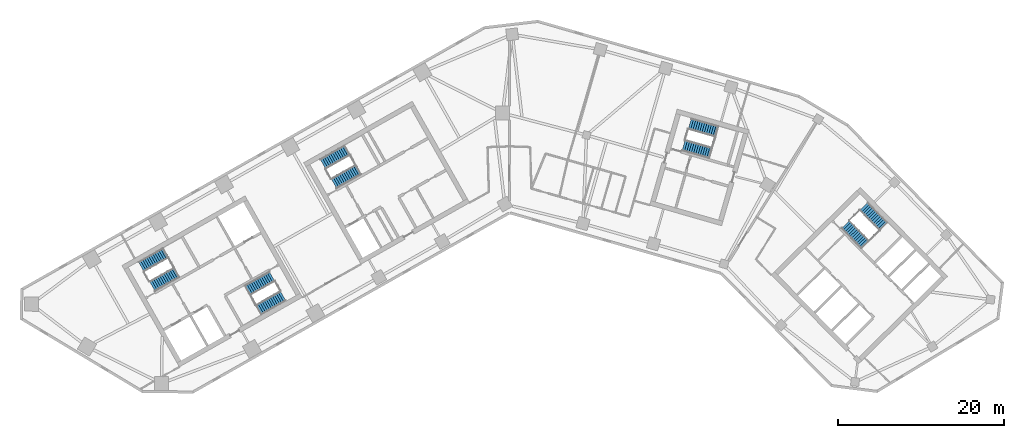
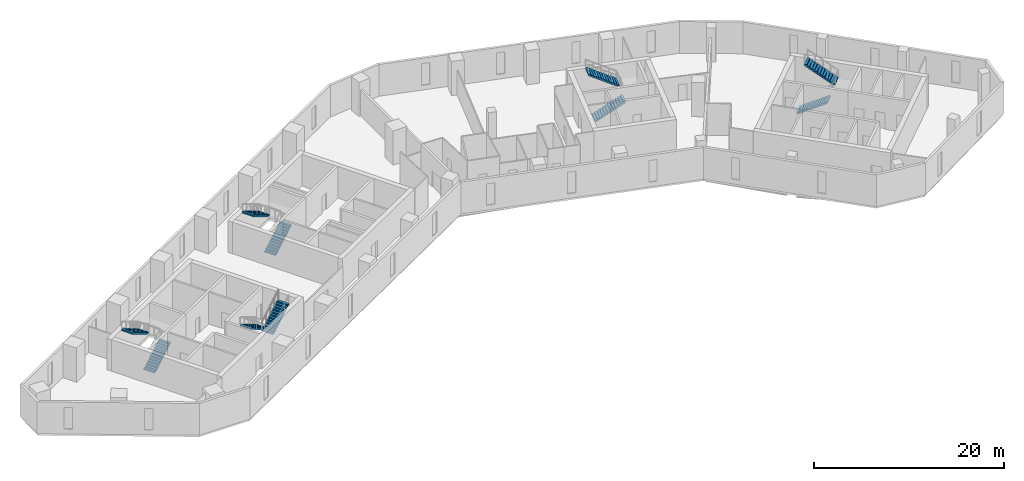
# One storey, part 8 of 10: 10 stair flights, 5 elements without a shape of their own.
"""IFC4 building model written with IfcOpenShell, lengths in metres."""

import ifcopenshell
import ifcopenshell.guid

model = None  # the IFC model being written
_history = None  # IfcOwnerHistory: only IFC2X3 demands one
_inside = {}  # id of a spatial element -> (the spatial element, [elements in it])
_under = {}  # id of a project, library or spatial element -> (it, [spatial elements below it])
_declared = {}  # id of a project -> (the project, [libraries it declares])
_typed = {}  # id of a type object -> (the type object, [elements of that type])
_made_of = {}  # id of a material, layer set ... -> (it, [elements and type objects made of it])


def new_model(schema):
    """Start an empty IFC model of exactly this schema.

    Asked for "IFC4X3", IfcOpenShell would pick the latest addendum, in which some entities
    have other attributes; the version numbers below select the first issue.
    IFC2X3 requires an IfcOwnerHistory on every rooted entity: one is made here for all.
    """
    global model, _history
    if schema == "IFC4X3":
        model = ifcopenshell.file(schema_version=(4, 3, 0, 0))
    else:
        model = ifcopenshell.file(schema=schema)
    _inside.clear()
    _under.clear()
    _declared.clear()
    _typed.clear()
    _made_of.clear()
    _history = None
    if model.schema == "IFC2X3":
        org = make("IfcOrganization", Name="unknown")
        user = make(
            "IfcPersonAndOrganization",
            ThePerson=make("IfcPerson", FamilyName="unknown"),
            TheOrganization=org,
        )
        app = make(
            "IfcApplication",
            ApplicationDeveloper=org,
            Version="unknown",
            ApplicationFullName="unknown",
            ApplicationIdentifier="unknown",
        )
        _history = make(
            "IfcOwnerHistory",
            OwningUser=user,
            OwningApplication=app,
            ChangeAction="ADDED",
            CreationDate=0,
        )
    return model


def make(cls, **values):
    """One entity of the class cls with the attributes given. An attribute that is None is left unset."""
    return model.create_entity(
        cls, **{name: value for name, value in values.items() if value is not None}
    )


def rooted(cls, **values):
    """An entity with a GlobalId (a new one), such as an element, a storey or a relation."""
    return make(cls, GlobalId=ifcopenshell.guid.new(), OwnerHistory=_history, **values)


def si_unit(unit_type, name, prefix=None):
    """IfcSIUnit, for example si_unit("LENGTHUNIT", "METRE", prefix="MILLI")."""
    return make("IfcSIUnit", UnitType=unit_type, Prefix=prefix, Name=name)


def assignment(units):
    """IfcUnitAssignment: the units of a project."""
    return None if units is None else make("IfcUnitAssignment", Units=units)


def point(xyz):
    """IfcCartesianPoint."""
    return None if xyz is None else make("IfcCartesianPoint", Coordinates=xyz)


def direction(xyz):
    """IfcDirection."""
    return None if xyz is None else make("IfcDirection", DirectionRatios=xyz)


def frame(location, z_axis=None, x_axis=None):
    """IfcAxis2Placement3D, a coordinate frame: its origin and axes. An axis left out is left unset."""
    return make(
        "IfcAxis2Placement3D",
        Location=point(location),
        Axis=direction(z_axis),
        RefDirection=direction(x_axis),
    )


def origin():
    """The frame at (0, 0, 0) with its axes left unset."""
    return frame((0.0, 0.0, 0.0))


def place(relative_to, where):
    """IfcLocalPlacement: puts the frame where relative to a parent placement (None: the world)."""
    return make(
        "IfcLocalPlacement", PlacementRelTo=relative_to, RelativePlacement=where
    )


def context(
    kind, dimensions, precision=None, world=None, true_north=None, identifier=None
):
    """IfcGeometricRepresentationContext, for example the 3D "Model" context."""
    return make(
        "IfcGeometricRepresentationContext",
        ContextIdentifier=identifier,
        ContextType=kind,
        CoordinateSpaceDimension=dimensions,
        Precision=precision,
        WorldCoordinateSystem=world,
        TrueNorth=true_north,
    )


def subcontext(parent, identifier, kind, view, scale=None):
    """IfcGeometricRepresentationSubContext, for example "Body" below "Model"."""
    return make(
        "IfcGeometricRepresentationSubContext",
        ContextIdentifier=identifier,
        ContextType=kind,
        ParentContext=parent,
        TargetScale=scale,
        TargetView=view,
    )


def project(units=None, contexts=None):
    """IfcProject with its units and contexts."""
    return rooted(
        "IfcProject",
        Name="project",
        RepresentationContexts=contexts,
        UnitsInContext=assignment(units),
    )


def spatial(cls, under=None, at=None, **own):
    """A site, building, storey or space (cls), placed at a placement, below another one or the project."""
    s = rooted(cls, ObjectPlacement=at, **own)
    if under is not None:
        _under.setdefault(under.id(), (under, []))[1].append(s)
    return s


def polyline(points):
    """IfcPolyline through the points."""
    return make("IfcPolyline", Points=[point(p) for p in points])


def outline(outer, holes=None, kind="AREA"):
    """IfcArbitraryClosedProfileDef: a profile drawn as a closed curve; with holes, ...WithVoids."""
    if holes is None:
        return make("IfcArbitraryClosedProfileDef", ProfileType=kind, OuterCurve=outer)
    return make(
        "IfcArbitraryProfileDefWithVoids",
        ProfileType=kind,
        OuterCurve=outer,
        InnerCurves=holes,
    )


def extrude(swept, where, along, depth):
    """IfcExtrudedAreaSolid: the profile swept, set in the frame where, extruded along a direction by depth."""
    return make(
        "IfcExtrudedAreaSolid",
        SweptArea=swept,
        Position=where,
        ExtrudedDirection=direction(along),
        Depth=depth,
    )


def shape(context_of_items, identifier, shape_type, items):
    """IfcShapeRepresentation: the items that make up one representation, for example the "Body"."""
    return make(
        "IfcShapeRepresentation",
        ContextOfItems=context_of_items,
        RepresentationIdentifier=identifier,
        RepresentationType=shape_type,
        Items=items,
    )


def material(Name=None, Category=None):
    """IfcMaterial."""
    return make("IfcMaterial", Name=Name, Category=Category)


def made_of(thing, what):
    """Note that an element or type object is made of a material, layer set ...; save() writes the relation."""
    if what is not None:
        _made_of.setdefault(what.id(), (what, []))[1].append(thing)
    return thing


def type_object(cls, material=None, **own):
    """A type object (cls), such as IfcWallType, which elements share."""
    return made_of(rooted(cls, **own), material)


def element(
    cls,
    number,
    at=None,
    inside=None,
    cuts=None,
    type_object=None,
    material=None,
    context=None,
    identifier="Body",
    shape_type=None,
    held_by="IfcProductDefinitionShape",
    body=None,
    shapes=None,
    **own,
):
    """One element of the class cls, such as IfcWall. Its Tag is "e" and its number.

    at: its placement. inside: the storey or other place that contains it. cuts: it is an
    opening in that element (IfcRelVoidsElement). A single representation is given by context,
    identifier, shape_type and body (its items); several are given by shapes. held_by: the class
    of the entity that holds the representations. save() writes the other relations.
    """
    e = rooted(cls, Tag="e%d" % number, ObjectPlacement=at, **own)
    if body is not None:
        shapes = [shape(context, identifier, shape_type, body)]
    if shapes is not None:
        e.Representation = make(held_by, Representations=shapes)
    if inside is not None:
        _inside.setdefault(inside.id(), (inside, []))[1].append(e)
    if cuts is not None:
        rooted(
            "IfcRelVoidsElement", RelatingBuildingElement=cuts, RelatedOpeningElement=e
        )
    if type_object is not None:
        _typed.setdefault(type_object.id(), (type_object, []))[1].append(e)
    return made_of(e, material)


def aggregate(whole, parts):
    """IfcRelAggregates: a whole, such as a stair, and the parts it consists of."""
    return rooted("IfcRelAggregates", RelatingObject=whole, RelatedObjects=parts)


def save(model, path):
    """Write the relations noted so far, then the file.

    IfcRelAggregates (storeys below a building ...), IfcRelContainedInSpatialStructure (elements
    in a storey), IfcRelDefinesByType, IfcRelAssociatesMaterial and IfcRelDeclares: one each for
    every whole, place, type object, material and project.
    """
    for whole, parts in _under.values():
        aggregate(whole, parts)
    for where, things in _inside.values():
        rooted(
            "IfcRelContainedInSpatialStructure",
            RelatedElements=things,
            RelatingStructure=where,
        )
    for kind, things in _typed.values():
        rooted("IfcRelDefinesByType", RelatedObjects=things, RelatingType=kind)
    for what, things in _made_of.values():
        rooted("IfcRelAssociatesMaterial", RelatedObjects=things, RelatingMaterial=what)
    for by, libraries in _declared.values():
        rooted("IfcRelDeclares", RelatingContext=by, RelatedDefinitions=libraries)
    model.write(path)


model = new_model("IFC4")

# Units and contexts
model_context = context("Model", 3, precision=1e-05, world=origin(), true_north=direction((0.0, 1.0)))
body_context = subcontext(model_context, "Body", "Model", "MODEL_VIEW")
ifc_project = project(units=[si_unit("LENGTHUNIT", "METRE"), si_unit("AREAUNIT", "SQUARE_METRE"), si_unit("VOLUMEUNIT", "CUBIC_METRE"), si_unit("PLANEANGLEUNIT", "RADIAN"), si_unit("MASSUNIT", "GRAM", prefix="KILO")], contexts=[model_context])

# Site, building, storey
site_placement = place(None, origin())
site = spatial("IfcSite", under=ifc_project, at=site_placement, CompositionType="ELEMENT")
building_placement = place(site_placement, origin())
building = spatial("IfcBuilding", under=site, at=building_placement, Name="Binnacle Exchange Tower", CompositionType="ELEMENT")
storey_placement = place(building_placement, frame((0.0, 0.0, 119.10009765625)))
storey = spatial("IfcBuildingStorey", under=building, at=storey_placement, Name="L24", CompositionType="ELEMENT", Elevation=119.10009765625)

# Stair, stair flights
ifc_material = material(Name="Concrete C35/45", Category="concrete")
stair_type = type_object("IfcStairType", Name="STAIR 26 RISERS 169", PredefinedType="HALF_TURN_STAIR", material=ifc_material)
stair_1_placement = place(storey_placement, origin())
stair_1 = element("IfcStair", 1, at=stair_1_placement, inside=storey, type_object=stair_type, Name="L24 Escape stair A1", PredefinedType="HALF_TURN_STAIR")
stair_flight_type = type_object("IfcStairFlightType", Name="STAIR FLIGHT 169X280", PredefinedType="STRAIGHT", material=ifc_material)
stair_flight_1_placement = place(storey_placement, frame((-42.9541015625, 39.17333984375, 0.0), z_axis=(0.0, 0.0, 1.0), x_axis=(0.870355584213, 0.492423757581, 0.0)))
stair_flight_1 = element("IfcStairFlight", 2, at=stair_flight_1_placement, type_object=stair_flight_type, Name="STA1 flight 1", NumberOfRisers=13, NumberOfTreads=12, PredefinedType="STRAIGHT", RiserHeight=0.169230769, TreadLength=0.28, context=body_context, shape_type="SweptSolid", body=[
    extrude(outline(polyline([(0.0, 0.0), (0.0, 0.169189453125), (0.280029296875, 0.169189453125), (0.280029296875, 0.33837890625), (0.56005859375, 0.33837890625), (0.56005859375, 0.5078125), (0.840087890625, 0.5078125), (0.840087890625, 0.677001953125), (1.1201171875, 0.677001953125), (1.1201171875, 0.84619140625), (1.39990234375, 0.84619140625), (1.39990234375, 1.015380859375), (1.679931640625, 1.015380859375), (1.679931640625, 1.1845703125), (1.9599609375, 1.1845703125), (1.9599609375, 1.353759765625), (2.239990234375, 1.353759765625), (2.239990234375, 1.523193359375), (2.52001953125, 1.523193359375), (2.52001953125, 1.6923828125), (2.800048828125, 1.6923828125), (2.800048828125, 1.861572265625), (3.080078125, 1.861572265625), (3.080078125, 2.03076171875), (3.360107421875, 2.03076171875), (3.360107421875, 2.199951171875), (3.360107421875, 1.855712890625), (0.289794921875, 0.0), (0.0, 0.0)])), frame((0.0, 0.675048828125, 0.0), z_axis=(0.0, -1.0, 0.0), x_axis=(1.0, 0.0, 0.0)), (0.0, 0.0, 1.0), 1.35009765625),
])
stair_flight_2_placement = place(storey_placement, frame((-41.359130859375, 43.177978515625, 2.199951171875), z_axis=(0.0, 0.0, 1.0), x_axis=(-0.870355584213, -0.492423757581, 0.0)))
stair_flight_2 = element("IfcStairFlight", 3, at=stair_flight_2_placement, type_object=stair_flight_type, Name="STA1 flight 2", NumberOfRisers=13, NumberOfTreads=12, PredefinedType="STRAIGHT", RiserHeight=0.169230769, TreadLength=0.28, context=body_context, shape_type="SweptSolid", body=[
    extrude(outline(polyline([(0.0, 0.0), (0.0, 0.169189453125), (0.280029296875, 0.169189453125), (0.280029296875, 0.33837890625), (0.56005859375, 0.33837890625), (0.56005859375, 0.5078125), (0.840087890625, 0.5078125), (0.840087890625, 0.677001953125), (1.1201171875, 0.677001953125), (1.1201171875, 0.84619140625), (1.39990234375, 0.84619140625), (1.39990234375, 1.015380859375), (1.679931640625, 1.015380859375), (1.679931640625, 1.1845703125), (1.9599609375, 1.1845703125), (1.9599609375, 1.353759765625), (2.239990234375, 1.353759765625), (2.239990234375, 1.523193359375), (2.52001953125, 1.523193359375), (2.52001953125, 1.6923828125), (2.800048828125, 1.6923828125), (2.800048828125, 1.861572265625), (3.080078125, 1.861572265625), (3.080078125, 2.03076171875), (3.360107421875, 2.03076171875), (3.360107421875, 2.199951171875), (3.360107421875, 1.855712890625), (0.289794921875, 0.0), (0.0, 0.0)])), frame((0.0, 0.675048828125, 0.0), z_axis=(0.0, -1.0, 0.0), x_axis=(1.0, 0.0, 0.0)), (0.0, 0.0, 1.0), 1.35009765625),
])
aggregate(stair_1, [stair_flight_1, stair_flight_2])

stair_2_placement = place(storey_placement, origin())
stair_2 = element("IfcStair", 4, at=stair_2_placement, inside=storey, type_object=stair_type, Name="L24 Escape stair A2", PredefinedType="HALF_TURN_STAIR")
stair_flight_3_placement = place(storey_placement, frame((-28.5732421875, 40.3583984375, 0.0), z_axis=(0.0, 0.0, 1.0), x_axis=(-0.870355584213, -0.492423757581, 0.0)))
stair_flight_3 = element("IfcStairFlight", 5, at=stair_flight_3_placement, type_object=stair_flight_type, Name="STA2 flight 1", NumberOfRisers=13, NumberOfTreads=12, PredefinedType="STRAIGHT", RiserHeight=0.169230769, TreadLength=0.28, context=body_context, shape_type="SweptSolid", body=[
    extrude(outline(polyline([(0.0, 0.0), (0.0, 0.169189453125), (0.280029296875, 0.169189453125), (0.280029296875, 0.33837890625), (0.56005859375, 0.33837890625), (0.56005859375, 0.5078125), (0.840087890625, 0.5078125), (0.840087890625, 0.677001953125), (1.1201171875, 0.677001953125), (1.1201171875, 0.84619140625), (1.39990234375, 0.84619140625), (1.39990234375, 1.015380859375), (1.679931640625, 1.015380859375), (1.679931640625, 1.1845703125), (1.9599609375, 1.1845703125), (1.9599609375, 1.353759765625), (2.239990234375, 1.353759765625), (2.239990234375, 1.523193359375), (2.52001953125, 1.523193359375), (2.52001953125, 1.6923828125), (2.800048828125, 1.6923828125), (2.800048828125, 1.861572265625), (3.080078125, 1.861572265625), (3.080078125, 2.03076171875), (3.360107421875, 2.03076171875), (3.360107421875, 2.199951171875), (3.360107421875, 1.855712890625), (0.289794921875, 0.0), (0.0, 0.0)])), frame((0.0, 0.675048828125, 0.0), z_axis=(0.0, -1.0, 0.0), x_axis=(1.0, 0.0, 0.0)), (0.0, 0.0, 1.0), 1.35009765625),
])
stair_flight_4_placement = place(storey_placement, frame((-30.16796875, 36.35400390625, 2.199951171875), z_axis=(0.0, 0.0, 1.0), x_axis=(0.870355584213, 0.492423757581, 0.0)))
stair_flight_4 = element("IfcStairFlight", 6, at=stair_flight_4_placement, type_object=stair_flight_type, Name="STA2 flight 2", NumberOfRisers=13, NumberOfTreads=12, PredefinedType="STRAIGHT", RiserHeight=0.169230769, TreadLength=0.28, context=body_context, shape_type="SweptSolid", body=[
    extrude(outline(polyline([(0.0, 0.0), (0.0, 0.169189453125), (0.280029296875, 0.169189453125), (0.280029296875, 0.33837890625), (0.56005859375, 0.33837890625), (0.56005859375, 0.5078125), (0.840087890625, 0.5078125), (0.840087890625, 0.677001953125), (1.1201171875, 0.677001953125), (1.1201171875, 0.84619140625), (1.39990234375, 0.84619140625), (1.39990234375, 1.015380859375), (1.679931640625, 1.015380859375), (1.679931640625, 1.1845703125), (1.9599609375, 1.1845703125), (1.9599609375, 1.353759765625), (2.239990234375, 1.353759765625), (2.239990234375, 1.523193359375), (2.52001953125, 1.523193359375), (2.52001953125, 1.6923828125), (2.800048828125, 1.6923828125), (2.800048828125, 1.861572265625), (3.080078125, 1.861572265625), (3.080078125, 2.03076171875), (3.360107421875, 2.03076171875), (3.360107421875, 2.199951171875), (3.360107421875, 1.855712890625), (0.289794921875, 0.0), (0.0, 0.0)])), frame((0.0, 0.675048828125, 0.0), z_axis=(0.0, -1.0, 0.0), x_axis=(1.0, 0.0, 0.0)), (0.0, 0.0, 1.0), 1.35009765625),
])
aggregate(stair_2, [stair_flight_3, stair_flight_4])

stair_3_placement = place(storey_placement, origin())
stair_3 = element("IfcStair", 7, at=stair_3_placement, inside=storey, type_object=stair_type, Name="L24 Escape stair B1", PredefinedType="HALF_TURN_STAIR")
stair_flight_5_placement = place(storey_placement, frame((40.376708984375, 46.608642578125, 0.0), z_axis=(0.0, 0.0, 1.0), x_axis=(0.70090935144, -0.713250363522, 0.0)))
stair_flight_5 = element("IfcStairFlight", 8, at=stair_flight_5_placement, type_object=stair_flight_type, Name="STB1 flight 1", NumberOfRisers=13, NumberOfTreads=12, PredefinedType="STRAIGHT", RiserHeight=0.169230769, TreadLength=0.28, context=body_context, shape_type="SweptSolid", body=[
    extrude(outline(polyline([(0.0, 0.0), (0.0, 0.169189453125), (0.280029296875, 0.169189453125), (0.280029296875, 0.33837890625), (0.56005859375, 0.33837890625), (0.56005859375, 0.5078125), (0.840087890625, 0.5078125), (0.840087890625, 0.677001953125), (1.1201171875, 0.677001953125), (1.1201171875, 0.84619140625), (1.39990234375, 0.84619140625), (1.39990234375, 1.015380859375), (1.679931640625, 1.015380859375), (1.679931640625, 1.1845703125), (1.9599609375, 1.1845703125), (1.9599609375, 1.353759765625), (2.239990234375, 1.353759765625), (2.239990234375, 1.523193359375), (2.52001953125, 1.523193359375), (2.52001953125, 1.6923828125), (2.800048828125, 1.6923828125), (2.800048828125, 1.861572265625), (3.080078125, 1.861572265625), (3.080078125, 2.03076171875), (3.360107421875, 2.03076171875), (3.360107421875, 2.199951171875), (3.360107421875, 1.855712890625), (0.289794921875, 0.0), (0.0, 0.0)])), frame((0.0, 0.675048828125, 0.0), z_axis=(0.0, -1.0, 0.0), x_axis=(1.0, 0.0, 0.0)), (0.0, 0.0, 1.0), 1.35009765625),
])
stair_flight_6_placement = place(storey_placement, frame((44.94287109375, 46.385009765625, 2.199951171875), z_axis=(0.0, 0.0, 1.0), x_axis=(-0.70090935144, 0.713250363522, 0.0)))
stair_flight_6 = element("IfcStairFlight", 9, at=stair_flight_6_placement, type_object=stair_flight_type, Name="STB1 flight 2", NumberOfRisers=13, NumberOfTreads=12, PredefinedType="STRAIGHT", RiserHeight=0.169230769, TreadLength=0.28, context=body_context, shape_type="SweptSolid", body=[
    extrude(outline(polyline([(0.0, 0.0), (0.0, 0.169189453125), (0.280029296875, 0.169189453125), (0.280029296875, 0.33837890625), (0.56005859375, 0.33837890625), (0.56005859375, 0.5078125), (0.840087890625, 0.5078125), (0.840087890625, 0.677001953125), (1.1201171875, 0.677001953125), (1.1201171875, 0.84619140625), (1.39990234375, 0.84619140625), (1.39990234375, 1.015380859375), (1.679931640625, 1.015380859375), (1.679931640625, 1.1845703125), (1.9599609375, 1.1845703125), (1.9599609375, 1.353759765625), (2.239990234375, 1.353759765625), (2.239990234375, 1.523193359375), (2.52001953125, 1.523193359375), (2.52001953125, 1.6923828125), (2.800048828125, 1.6923828125), (2.800048828125, 1.861572265625), (3.080078125, 1.861572265625), (3.080078125, 2.03076171875), (3.360107421875, 2.03076171875), (3.360107421875, 2.199951171875), (3.360107421875, 1.855712890625), (0.289794921875, 0.0), (0.0, 0.0)])), frame((0.0, 0.675048828125, 0.0), z_axis=(0.0, -1.0, 0.0), x_axis=(1.0, 0.0, 0.0)), (0.0, 0.0, 1.0), 1.35009765625),
])
aggregate(stair_3, [stair_flight_5, stair_flight_6])

stair_4_placement = place(storey_placement, origin())
stair_4 = element("IfcStair", 10, at=stair_4_placement, inside=storey, type_object=stair_type, Name="L24 Escape stair C1", PredefinedType="HALF_TURN_STAIR")
stair_flight_7_placement = place(storey_placement, frame((-21.115966796875, 51.528564453125, 0.0), z_axis=(0.0, 0.0, 1.0), x_axis=(0.870355584213, 0.492423757581, 0.0)))
stair_flight_7 = element("IfcStairFlight", 11, at=stair_flight_7_placement, type_object=stair_flight_type, Name="STC1 flight 1", NumberOfRisers=13, NumberOfTreads=12, PredefinedType="STRAIGHT", RiserHeight=0.169230769, TreadLength=0.28, context=body_context, shape_type="SweptSolid", body=[
    extrude(outline(polyline([(0.0, 0.0), (0.0, 0.169189453125), (0.280029296875, 0.169189453125), (0.280029296875, 0.33837890625), (0.56005859375, 0.33837890625), (0.56005859375, 0.5078125), (0.840087890625, 0.5078125), (0.840087890625, 0.677001953125), (1.1201171875, 0.677001953125), (1.1201171875, 0.84619140625), (1.39990234375, 0.84619140625), (1.39990234375, 1.015380859375), (1.679931640625, 1.015380859375), (1.679931640625, 1.1845703125), (1.9599609375, 1.1845703125), (1.9599609375, 1.353759765625), (2.239990234375, 1.353759765625), (2.239990234375, 1.523193359375), (2.52001953125, 1.523193359375), (2.52001953125, 1.6923828125), (2.800048828125, 1.6923828125), (2.800048828125, 1.861572265625), (3.080078125, 1.861572265625), (3.080078125, 2.03076171875), (3.360107421875, 2.03076171875), (3.360107421875, 2.199951171875), (3.360107421875, 1.855712890625), (0.289794921875, 0.0), (0.0, 0.0)])), frame((0.0, 0.675048828125, 0.0), z_axis=(0.0, -1.0, 0.0), x_axis=(1.0, 0.0, 0.0)), (0.0, 0.0, 1.0), 1.35009765625),
])
stair_flight_8_placement = place(storey_placement, frame((-19.521240234375, 55.533203125, 2.199951171875), z_axis=(0.0, 0.0, 1.0), x_axis=(-0.870355584213, -0.492423757581, 0.0)))
stair_flight_8 = element("IfcStairFlight", 12, at=stair_flight_8_placement, type_object=stair_flight_type, Name="STC1 flight 2", NumberOfRisers=13, NumberOfTreads=12, PredefinedType="STRAIGHT", RiserHeight=0.169230769, TreadLength=0.28, context=body_context, shape_type="SweptSolid", body=[
    extrude(outline(polyline([(0.0, 0.0), (0.0, 0.169189453125), (0.280029296875, 0.169189453125), (0.280029296875, 0.33837890625), (0.56005859375, 0.33837890625), (0.56005859375, 0.5078125), (0.840087890625, 0.5078125), (0.840087890625, 0.677001953125), (1.1201171875, 0.677001953125), (1.1201171875, 0.84619140625), (1.39990234375, 0.84619140625), (1.39990234375, 1.015380859375), (1.679931640625, 1.015380859375), (1.679931640625, 1.1845703125), (1.9599609375, 1.1845703125), (1.9599609375, 1.353759765625), (2.239990234375, 1.353759765625), (2.239990234375, 1.523193359375), (2.52001953125, 1.523193359375), (2.52001953125, 1.6923828125), (2.800048828125, 1.6923828125), (2.800048828125, 1.861572265625), (3.080078125, 1.861572265625), (3.080078125, 2.03076171875), (3.360107421875, 2.03076171875), (3.360107421875, 2.199951171875), (3.360107421875, 1.855712890625), (0.289794921875, 0.0), (0.0, 0.0)])), frame((0.0, 0.675048828125, 0.0), z_axis=(0.0, -1.0, 0.0), x_axis=(1.0, 0.0, 0.0)), (0.0, 0.0, 1.0), 1.35009765625),
])
aggregate(stair_4, [stair_flight_7, stair_flight_8])

stair_5_placement = place(storey_placement, origin())
stair_5 = element("IfcStair", 13, at=stair_5_placement, inside=storey, type_object=stair_type, Name="L24 Escape stair D1", PredefinedType="HALF_TURN_STAIR")
stair_flight_9_placement = place(storey_placement, frame((20.914306640625, 56.109619140625, 0.0), z_axis=(0.0, 0.0, 1.0), x_axis=(0.961261811397, -0.275636953165, 0.0)))
stair_flight_9 = element("IfcStairFlight", 14, at=stair_flight_9_placement, type_object=stair_flight_type, Name="STD1 flight 1", NumberOfRisers=13, NumberOfTreads=12, PredefinedType="STRAIGHT", RiserHeight=0.169230769, TreadLength=0.28, context=body_context, shape_type="SweptSolid", body=[
    extrude(outline(polyline([(0.0, 0.0), (0.0, 0.169189453125), (0.280029296875, 0.169189453125), (0.280029296875, 0.33837890625), (0.56005859375, 0.33837890625), (0.56005859375, 0.5078125), (0.840087890625, 0.5078125), (0.840087890625, 0.677001953125), (1.1201171875, 0.677001953125), (1.1201171875, 0.84619140625), (1.39990234375, 0.84619140625), (1.39990234375, 1.015380859375), (1.679931640625, 1.015380859375), (1.679931640625, 1.1845703125), (1.9599609375, 1.1845703125), (1.9599609375, 1.353759765625), (2.239990234375, 1.353759765625), (2.239990234375, 1.523193359375), (2.52001953125, 1.523193359375), (2.52001953125, 1.6923828125), (2.800048828125, 1.6923828125), (2.800048828125, 1.861572265625), (3.080078125, 1.861572265625), (3.080078125, 2.03076171875), (3.360107421875, 2.03076171875), (3.360107421875, 2.199951171875), (3.360107421875, 1.855712890625), (0.289794921875, 0.0), (0.0, 0.0)])), frame((0.0, 0.675048828125, 0.0), z_axis=(0.0, -1.0, 0.0), x_axis=(1.0, 0.0, 0.0)), (0.0, 0.0, 1.0), 1.35009765625),
])
stair_flight_10_placement = place(storey_placement, frame((24.888427734375, 57.77880859375, 2.199951171875), z_axis=(0.0, 0.0, 1.0), x_axis=(-0.961261811397, 0.275636953165, 0.0)))
stair_flight_10 = element("IfcStairFlight", 15, at=stair_flight_10_placement, type_object=stair_flight_type, Name="STD1 flight 2", NumberOfRisers=13, NumberOfTreads=12, PredefinedType="STRAIGHT", RiserHeight=0.169230769, TreadLength=0.28, context=body_context, shape_type="SweptSolid", body=[
    extrude(outline(polyline([(0.0, 0.0), (0.0, 0.169189453125), (0.280029296875, 0.169189453125), (0.280029296875, 0.33837890625), (0.56005859375, 0.33837890625), (0.56005859375, 0.5078125), (0.840087890625, 0.5078125), (0.840087890625, 0.677001953125), (1.1201171875, 0.677001953125), (1.1201171875, 0.84619140625), (1.39990234375, 0.84619140625), (1.39990234375, 1.015380859375), (1.679931640625, 1.015380859375), (1.679931640625, 1.1845703125), (1.9599609375, 1.1845703125), (1.9599609375, 1.353759765625), (2.239990234375, 1.353759765625), (2.239990234375, 1.523193359375), (2.52001953125, 1.523193359375), (2.52001953125, 1.6923828125), (2.800048828125, 1.6923828125), (2.800048828125, 1.861572265625), (3.080078125, 1.861572265625), (3.080078125, 2.03076171875), (3.360107421875, 2.03076171875), (3.360107421875, 2.199951171875), (3.360107421875, 1.855712890625), (0.289794921875, 0.0), (0.0, 0.0)])), frame((0.0, 0.675048828125, 0.0), z_axis=(0.0, -1.0, 0.0), x_axis=(1.0, 0.0, 0.0)), (0.0, 0.0, 1.0), 1.35009765625),
])
aggregate(stair_5, [stair_flight_9, stair_flight_10])

save(model, "model.ifc")
